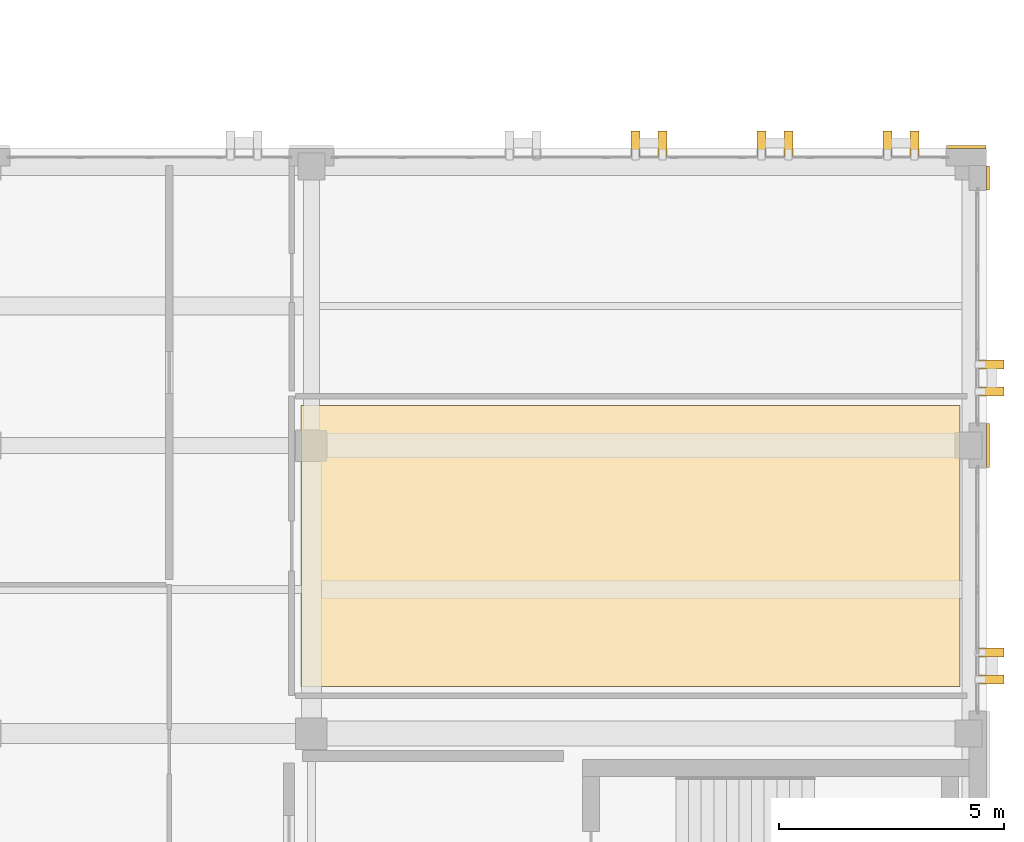
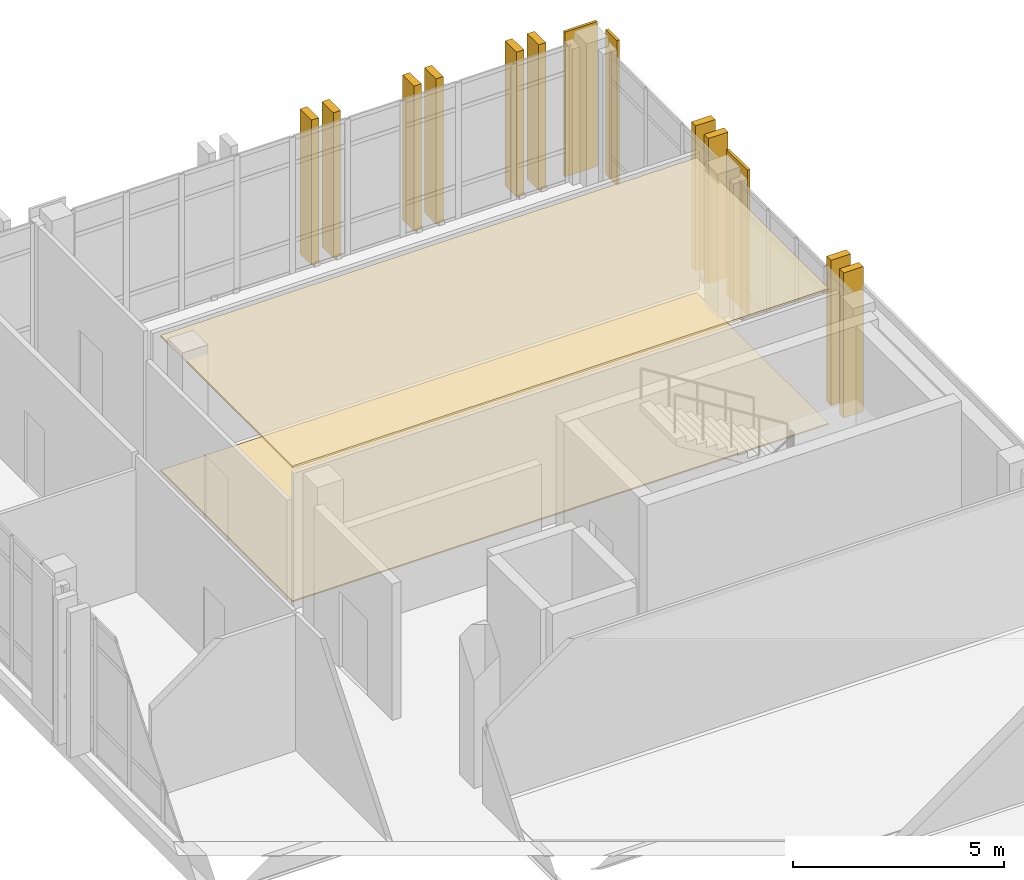
# One storey, part 86 of 90: 15 coverings.
"""IFC4 building model written with IfcOpenShell, lengths in metres."""

from ifc_helpers import new_model, si_unit, direction, frame, origin, origin_2d, place, context, subcontext, project, spatial, polyline, rectangle, outline, extrude, material, layer, layer_set, type_object, element, save


model = new_model("IFC4")

# Units and contexts
model_context = context("Model", 3, precision=1e-05, world=origin(), true_north=direction((0.0, 1.0)))
body_context = subcontext(model_context, "Body", "Model", "MODEL_VIEW")
ifc_project = project(units=[si_unit("LENGTHUNIT", "METRE"), si_unit("AREAUNIT", "SQUARE_METRE"), si_unit("VOLUMEUNIT", "CUBIC_METRE"), si_unit("PLANEANGLEUNIT", "RADIAN"), si_unit("MASSUNIT", "GRAM", prefix="KILO")], contexts=[model_context])

# Site, building, storey
site_placement = place(None, origin())
site = spatial("IfcSite", under=ifc_project, at=site_placement, CompositionType="ELEMENT")
building_placement = place(site_placement, origin())
building = spatial("IfcBuilding", under=site, at=building_placement, Name="Qalavern Law Courts", CompositionType="ELEMENT")
storey_placement = place(building_placement, frame((0.0, 0.0, 22.800048828125)))
storey = spatial("IfcBuildingStorey", under=building, at=storey_placement, Name="L05", CompositionType="ELEMENT", Elevation=22.800048828125)

# Coverings
ifc_material_1 = material(Name="Precast concrete C40/50", Category="concrete")
ifc_layer_1 = layer(ifc_material_1, 0.199951171875)
ifc_layer_set_1 = layer_set([ifc_layer_1], Name="Precast concrete C40/50")
covering_type_1 = type_object("IfcCoveringType", Name="ENV-BLD-1", PredefinedType="CLADDING", material=ifc_layer_set_1)
for number, where, z_axis, x_axis, name in (
    (1, (106.91748046875, 74.0, 0.0048828125), (0.0, 0.0, 1.0), (1.0, 0.0, 0.0), "Absheron stone facade blade 0727"),
    (2, (106.91748046875, 74.60009765625, 0.0048828125), (0.0, 0.0, 1.0), (1.0, 0.0, 0.0), "Absheron stone facade blade 0728"),
    (3, (106.91748046875, 80.39990234375, 0.0048828125), (0.0, 0.0, 1.0), (1.0, 0.0, 0.0), "Absheron stone facade blade 0729"),
    (4, (106.91748046875, 81.0, 0.0048828125), (0.0, 0.0, 1.0), (1.0, 0.0, 0.0), "Absheron stone facade blade 0730"),
    (5, (105.199951171875, 85.91748046875, 0.0048828125), (0.0, 0.0, 1.0), (0.0, 1.0, 0.0), "Absheron stone facade blade 0731"),
    (6, (104.60009765625, 85.91748046875, 0.0048828125), (0.0, 0.0, 1.0), (0.0, 1.0, 0.0), "Absheron stone facade blade 0732"),
    (7, (102.39990234375, 85.91748046875, 0.0048828125), (0.0, 0.0, 1.0), (0.0, 1.0, 0.0), "Absheron stone facade blade 0733"),
    (8, (101.800048828125, 85.91748046875, 0.0048828125), (0.0, 0.0, 1.0), (0.0, 1.0, 0.0), "Absheron stone facade blade 0734"),
    (9, (99.60009765625, 85.91748046875, 0.0048828125), (0.0, 0.0, 1.0), (0.0, 1.0, 0.0), "Absheron stone facade blade 0735"),
    (10, (99.0, 85.91748046875, 0.0048828125), (0.0, 0.0, 1.0), (0.0, 1.0, 0.0), "Absheron stone facade blade 0736"),
):
    element("IfcCovering", number, at=place(storey_placement, frame(where, z_axis=z_axis, x_axis=x_axis)), inside=storey, type_object=covering_type_1, Name=name, PredefinedType="CLADDING", context=body_context, shape_type="SweptSolid", body=[
        extrude(rectangle(XDim=0.5400390625, YDim=0.199951171875, at=origin_2d()), origin(), (0.0, 0.0, 1.0), 4.18994140625),
    ])
ifc_layer_2 = layer(ifc_material_1, 0.072021484375)
ifc_layer_set_2 = layer_set([ifc_layer_2], Name="Precast concrete C40/50")
covering_type_2 = type_object("IfcCoveringType", Name="ENV-CLD-2", PredefinedType="CLADDING", material=ifc_layer_set_2)
covering_1_placement = place(storey_placement, frame((106.8330078125, 79.199951171875, 0.009765625), z_axis=(0.0, 0.0, 1.0), x_axis=(0.0, 1.0, 0.0)))
element("IfcCovering", 11, at=covering_1_placement, inside=storey, type_object=covering_type_2, Name="V4 Absheron limestone pier facing L05 east 5", PredefinedType="CLADDING", context=body_context, shape_type="SweptSolid", body=[
    extrude(rectangle(XDim=0.97998046875, YDim=0.072021484375, at=origin_2d()), origin(), (0.0, 0.0, 1.0), 4.179931640625),
])
covering_2_placement = place(storey_placement, frame((106.8330078125, 85.14501953125, 0.009765625), z_axis=(0.0, 0.0, 1.0), x_axis=(0.0, 1.0, 0.0)))
element("IfcCovering", 12, at=covering_2_placement, inside=storey, type_object=covering_type_2, Name="V4 Absheron limestone pier facing L05 east 6", PredefinedType="CLADDING", context=body_context, shape_type="SweptSolid", body=[
    extrude(rectangle(XDim=0.530029296875, YDim=0.072021484375, at=origin_2d()), origin(), (0.0, 0.0, 1.0), 4.179931640625),
])
covering_3_placement = place(storey_placement, frame((106.35009765625, 85.8330078125, 0.009765625), z_axis=(0.0, 0.0, 1.0), x_axis=(-1.0, 0.0, 0.0)))
element("IfcCovering", 13, at=covering_3_placement, inside=storey, type_object=covering_type_2, Name="V4 Absheron limestone pier facing L05 north 1", PredefinedType="CLADDING", context=body_context, shape_type="SweptSolid", body=[
    extrude(rectangle(XDim=0.8798828125, YDim=0.072021484375, at=origin_2d()), origin(), (0.0, 0.0, 1.0), 4.179931640625),
])
ifc_material_2 = material(Name="Slatted oak acoustic timber baffle ceiling", Category="wood")
ifc_layer_3 = layer(ifc_material_2, 0.055908203125)
ifc_layer_set_3 = layer_set([ifc_layer_3], Name="Slatted oak acoustic timber baffle ceiling")
covering_type_3 = type_object("IfcCoveringType", Name="INT-CEIL-3", PredefinedType="CEILING", material=ifc_layer_set_3)
covering_4_placement = place(storey_placement, frame((0.0, 0.0, 3.8740234375)))
element("IfcCovering", 14, at=covering_4_placement, inside=storey, type_object=covering_type_3, Name="Judges' Chambers acoustic ceiling L05", PredefinedType="CEILING", context=body_context, shape_type="SweptSolid", body=[
    extrude(outline(polyline([(91.570068359375, 73.85009765625), (106.2099609375, 73.85009765625), (106.2099609375, 80.0849609375), (91.570068359375, 80.0849609375), (91.570068359375, 73.85009765625)])), origin(), (0.0, 0.0, 1.0), 0.055908203125),
])
ifc_material_3 = material(Name="Acoustic engineered oak courtroom flooring")
ifc_layer_4 = layer(ifc_material_3, 0.0380859375)
ifc_layer_set_4 = layer_set([ifc_layer_4], Name="Acoustic engineered oak courtroom flooring")
covering_type_4 = type_object("IfcCoveringType", Name="INT-FLR-3", PredefinedType="FLOORING", material=ifc_layer_set_4)
covering_5_placement = place(storey_placement, origin())
element("IfcCovering", 15, at=covering_5_placement, inside=storey, type_object=covering_type_4, Name="Judges' Chambers finish flooring L05", PredefinedType="FLOORING", context=body_context, shape_type="SweptSolid", body=[
    extrude(outline(polyline([(91.570068359375, 73.85009765625), (106.2099609375, 73.85009765625), (106.2099609375, 80.0849609375), (91.570068359375, 80.0849609375), (91.570068359375, 73.85009765625)])), origin(), (0.0, 0.0, 1.0), 0.037841796875),
])

save(model, "model.ifc")
